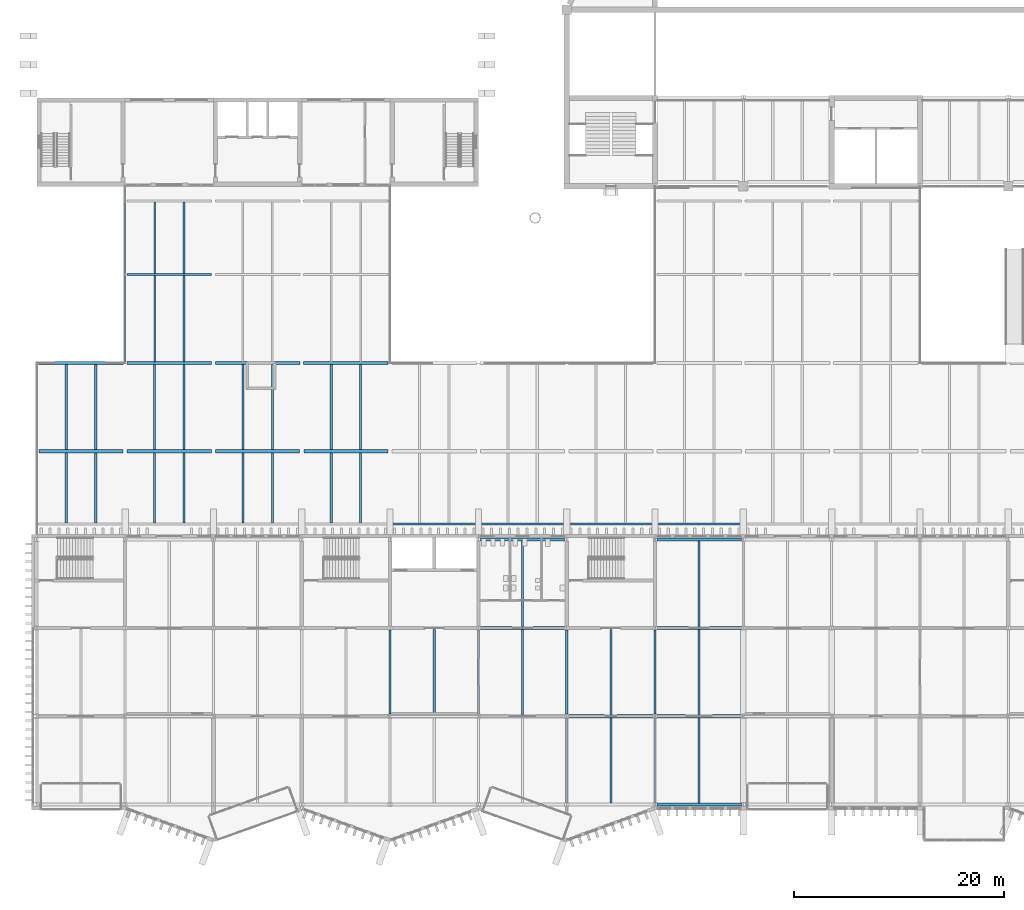
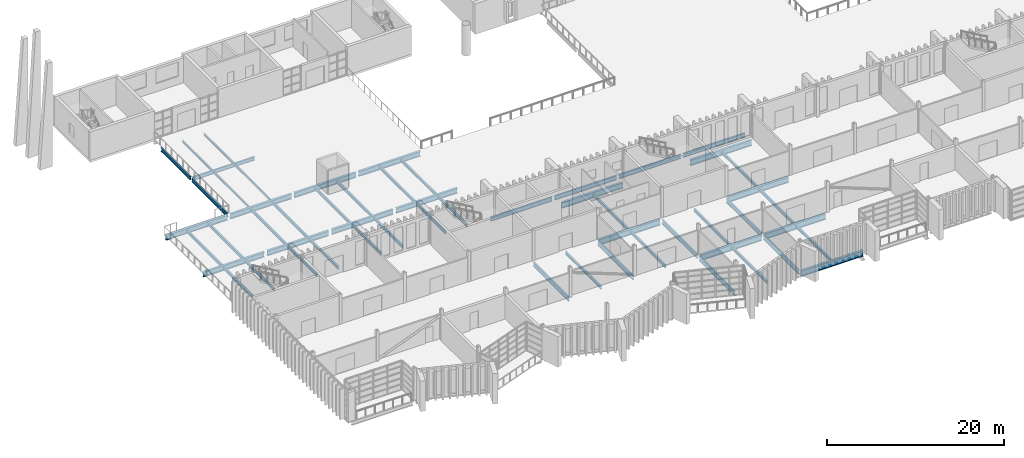
# One storey, part 19 of 96: 56 beams.
"""IFC4 building model written with IfcOpenShell, lengths in metres."""

import ifcopenshell
import ifcopenshell.guid

model = None  # the IFC model being written
_history = None  # IfcOwnerHistory: only IFC2X3 demands one
_inside = {}  # id of a spatial element -> (the spatial element, [elements in it])
_under = {}  # id of a project, library or spatial element -> (it, [spatial elements below it])
_declared = {}  # id of a project -> (the project, [libraries it declares])
_typed = {}  # id of a type object -> (the type object, [elements of that type])
_made_of = {}  # id of a material, layer set ... -> (it, [elements and type objects made of it])


def new_model(schema):
    """Start an empty IFC model of exactly this schema.

    Asked for "IFC4X3", IfcOpenShell would pick the latest addendum, in which some entities
    have other attributes; the version numbers below select the first issue.
    IFC2X3 requires an IfcOwnerHistory on every rooted entity: one is made here for all.
    """
    global model, _history
    if schema == "IFC4X3":
        model = ifcopenshell.file(schema_version=(4, 3, 0, 0))
    else:
        model = ifcopenshell.file(schema=schema)
    _inside.clear()
    _under.clear()
    _declared.clear()
    _typed.clear()
    _made_of.clear()
    _history = None
    if model.schema == "IFC2X3":
        org = make("IfcOrganization", Name="unknown")
        user = make(
            "IfcPersonAndOrganization",
            ThePerson=make("IfcPerson", FamilyName="unknown"),
            TheOrganization=org,
        )
        app = make(
            "IfcApplication",
            ApplicationDeveloper=org,
            Version="unknown",
            ApplicationFullName="unknown",
            ApplicationIdentifier="unknown",
        )
        _history = make(
            "IfcOwnerHistory",
            OwningUser=user,
            OwningApplication=app,
            ChangeAction="ADDED",
            CreationDate=0,
        )
    return model


def make(cls, **values):
    """One entity of the class cls with the attributes given. An attribute that is None is left unset."""
    return model.create_entity(
        cls, **{name: value for name, value in values.items() if value is not None}
    )


def rooted(cls, **values):
    """An entity with a GlobalId (a new one), such as an element, a storey or a relation."""
    return make(cls, GlobalId=ifcopenshell.guid.new(), OwnerHistory=_history, **values)


def si_unit(unit_type, name, prefix=None):
    """IfcSIUnit, for example si_unit("LENGTHUNIT", "METRE", prefix="MILLI")."""
    return make("IfcSIUnit", UnitType=unit_type, Prefix=prefix, Name=name)


def assignment(units):
    """IfcUnitAssignment: the units of a project."""
    return None if units is None else make("IfcUnitAssignment", Units=units)


def point(xyz):
    """IfcCartesianPoint."""
    return None if xyz is None else make("IfcCartesianPoint", Coordinates=xyz)


def direction(xyz):
    """IfcDirection."""
    return None if xyz is None else make("IfcDirection", DirectionRatios=xyz)


def frame(location, z_axis=None, x_axis=None):
    """IfcAxis2Placement3D, a coordinate frame: its origin and axes. An axis left out is left unset."""
    return make(
        "IfcAxis2Placement3D",
        Location=point(location),
        Axis=direction(z_axis),
        RefDirection=direction(x_axis),
    )


def frame_2d(location, x_axis=None):
    """IfcAxis2Placement2D, a coordinate frame in the plane: its origin and x axis."""
    return make(
        "IfcAxis2Placement2D", Location=point(location), RefDirection=direction(x_axis)
    )


def origin():
    """The frame at (0, 0, 0) with its axes left unset."""
    return frame((0.0, 0.0, 0.0))


def origin_2d():
    """The frame at (0, 0) in the plane with its x axis left unset."""
    return frame_2d((0.0, 0.0))


def place(relative_to, where):
    """IfcLocalPlacement: puts the frame where relative to a parent placement (None: the world)."""
    return make(
        "IfcLocalPlacement", PlacementRelTo=relative_to, RelativePlacement=where
    )


def context(
    kind, dimensions, precision=None, world=None, true_north=None, identifier=None
):
    """IfcGeometricRepresentationContext, for example the 3D "Model" context."""
    return make(
        "IfcGeometricRepresentationContext",
        ContextIdentifier=identifier,
        ContextType=kind,
        CoordinateSpaceDimension=dimensions,
        Precision=precision,
        WorldCoordinateSystem=world,
        TrueNorth=true_north,
    )


def subcontext(parent, identifier, kind, view, scale=None):
    """IfcGeometricRepresentationSubContext, for example "Body" below "Model"."""
    return make(
        "IfcGeometricRepresentationSubContext",
        ContextIdentifier=identifier,
        ContextType=kind,
        ParentContext=parent,
        TargetScale=scale,
        TargetView=view,
    )


def project(units=None, contexts=None):
    """IfcProject with its units and contexts."""
    return rooted(
        "IfcProject",
        Name="project",
        RepresentationContexts=contexts,
        UnitsInContext=assignment(units),
    )


def spatial(cls, under=None, at=None, **own):
    """A site, building, storey or space (cls), placed at a placement, below another one or the project."""
    s = rooted(cls, ObjectPlacement=at, **own)
    if under is not None:
        _under.setdefault(under.id(), (under, []))[1].append(s)
    return s


def profile(cls, at=None, kind="AREA", **sizes):
    """A parametric profile (cls). Its sizes go by their IFC names, for example OverallWidth=200.0."""
    return make(cls, ProfileType=kind, Position=at, **sizes)


def i_section(**sizes):
    """IfcIShapeProfileDef."""
    return profile("IfcIShapeProfileDef", **sizes)


def extrude(swept, where, along, depth):
    """IfcExtrudedAreaSolid: the profile swept, set in the frame where, extruded along a direction by depth."""
    return make(
        "IfcExtrudedAreaSolid",
        SweptArea=swept,
        Position=where,
        ExtrudedDirection=direction(along),
        Depth=depth,
    )


def shape(context_of_items, identifier, shape_type, items):
    """IfcShapeRepresentation: the items that make up one representation, for example the "Body"."""
    return make(
        "IfcShapeRepresentation",
        ContextOfItems=context_of_items,
        RepresentationIdentifier=identifier,
        RepresentationType=shape_type,
        Items=items,
    )


def material(Name=None, Category=None):
    """IfcMaterial."""
    return make("IfcMaterial", Name=Name, Category=Category)


def material_profile(
    of_material, cross_section, Name=None, Category=None, Priority=None
):
    """IfcMaterialProfile: a cross section and its material."""
    return make(
        "IfcMaterialProfile",
        Name=Name,
        Material=of_material,
        Profile=cross_section,
        Priority=Priority,
        Category=Category,
    )


def profile_set(profiles, Name=None, composite=None):
    """IfcMaterialProfileSet."""
    return make(
        "IfcMaterialProfileSet",
        Name=Name,
        MaterialProfiles=profiles,
        CompositeProfile=composite,
    )


def made_of(thing, what):
    """Note that an element or type object is made of a material, layer set ...; save() writes the relation."""
    if what is not None:
        _made_of.setdefault(what.id(), (what, []))[1].append(thing)
    return thing


def type_object(cls, material=None, **own):
    """A type object (cls), such as IfcWallType, which elements share."""
    return made_of(rooted(cls, **own), material)


def element(
    cls,
    number,
    at=None,
    inside=None,
    cuts=None,
    type_object=None,
    material=None,
    context=None,
    identifier="Body",
    shape_type=None,
    held_by="IfcProductDefinitionShape",
    body=None,
    shapes=None,
    **own,
):
    """One element of the class cls, such as IfcWall. Its Tag is "e" and its number.

    at: its placement. inside: the storey or other place that contains it. cuts: it is an
    opening in that element (IfcRelVoidsElement). A single representation is given by context,
    identifier, shape_type and body (its items); several are given by shapes. held_by: the class
    of the entity that holds the representations. save() writes the other relations.
    """
    e = rooted(cls, Tag="e%d" % number, ObjectPlacement=at, **own)
    if body is not None:
        shapes = [shape(context, identifier, shape_type, body)]
    if shapes is not None:
        e.Representation = make(held_by, Representations=shapes)
    if inside is not None:
        _inside.setdefault(inside.id(), (inside, []))[1].append(e)
    if cuts is not None:
        rooted(
            "IfcRelVoidsElement", RelatingBuildingElement=cuts, RelatedOpeningElement=e
        )
    if type_object is not None:
        _typed.setdefault(type_object.id(), (type_object, []))[1].append(e)
    return made_of(e, material)


def aggregate(whole, parts):
    """IfcRelAggregates: a whole, such as a stair, and the parts it consists of."""
    return rooted("IfcRelAggregates", RelatingObject=whole, RelatedObjects=parts)


def save(model, path):
    """Write the relations noted so far, then the file.

    IfcRelAggregates (storeys below a building ...), IfcRelContainedInSpatialStructure (elements
    in a storey), IfcRelDefinesByType, IfcRelAssociatesMaterial and IfcRelDeclares: one each for
    every whole, place, type object, material and project.
    """
    for whole, parts in _under.values():
        aggregate(whole, parts)
    for where, things in _inside.values():
        rooted(
            "IfcRelContainedInSpatialStructure",
            RelatedElements=things,
            RelatingStructure=where,
        )
    for kind, things in _typed.values():
        rooted("IfcRelDefinesByType", RelatedObjects=things, RelatingType=kind)
    for what, things in _made_of.values():
        rooted("IfcRelAssociatesMaterial", RelatedObjects=things, RelatingMaterial=what)
    for by, libraries in _declared.values():
        rooted("IfcRelDeclares", RelatingContext=by, RelatedDefinitions=libraries)
    model.write(path)


model = new_model("IFC4")

# Units and contexts
model_context = context("Model", 3, precision=1e-05, world=origin(), true_north=direction((0.0, 1.0)))
body_context = subcontext(model_context, "Body", "Model", "MODEL_VIEW")
ifc_project = project(units=[si_unit("LENGTHUNIT", "METRE"), si_unit("AREAUNIT", "SQUARE_METRE"), si_unit("VOLUMEUNIT", "CUBIC_METRE"), si_unit("PLANEANGLEUNIT", "RADIAN"), si_unit("MASSUNIT", "GRAM", prefix="KILO")], contexts=[model_context])

# Site, building, storey
site_placement = place(None, origin())
site = spatial("IfcSite", under=ifc_project, at=site_placement, CompositionType="ELEMENT")
building_placement = place(site_placement, origin())
building = spatial("IfcBuilding", under=site, at=building_placement, Name="Cresset Court Congress Hotel", CompositionType="ELEMENT")
storey_placement = place(building_placement, frame((0.0, 0.0, 6.0)))
storey = spatial("IfcBuildingStorey", under=building, at=storey_placement, Name="L01", CompositionType="ELEMENT", Elevation=6.0)

# Beams
ifc_material_1 = material(Name="Structural steel Q355B", Category="steel")
ifc_material_profile_1 = material_profile(ifc_material_1, i_section(OverallWidth=0.14990234375, OverallDepth=0.300048828125, WebThickness=0.006591796875, FlangeThickness=0.009033203125, FilletRadius=0.012939453125, at=origin_2d()), Name="HN300x150x6.5x9")
ifc_profile_set_1 = profile_set([ifc_material_profile_1], Name="Structural steel Q355B")
beam_type_1 = type_object("IfcBeamType", Name="Steel beam HN300x150x6.5x9", PredefinedType="BEAM", material=ifc_profile_set_1)
for number, where, z_axis, x_axis, name in (
    (1, (19.60009765625, 42.10009765625, -0.300048828125), (0.0, 1.0, 0.0), (-1.0, 0.0, 0.0), "S.dbm.L01.S083"),
    (2, (22.39990234375, 42.10009765625, -0.300048828125), (0.0, 1.0, 0.0), (-1.0, 0.0, 0.0), "S.dbm.L01.S084"),
):
    element("IfcBeam", number, at=place(storey_placement, frame(where, z_axis=z_axis, x_axis=x_axis)), inside=storey, type_object=beam_type_1, Name=name, PredefinedType="BEAM", context=body_context, shape_type="SweptSolid", body=[
        extrude(i_section(OverallWidth=0.14990234375, OverallDepth=0.300048828125, WebThickness=0.006591796875, FlangeThickness=0.009033203125, FilletRadius=0.012939453125, at=origin_2d()), origin(), (0.0, 0.0, 1.0), 8.199951171875),
    ])
for number, where, z_axis, x_axis, name in (
    (3, (19.60009765625, 50.5, -0.300048828125), (0.0, 1.0, 0.0), (-1.0, 0.0, 0.0), "S.dbm.L01.S089"),
    (4, (22.39990234375, 50.5, -0.300048828125), (0.0, 1.0, 0.0), (-1.0, 0.0, 0.0), "S.dbm.L01.S090"),
):
    element("IfcBeam", number, at=place(storey_placement, frame(where, z_axis=z_axis, x_axis=x_axis)), inside=storey, type_object=beam_type_1, Name=name, PredefinedType="BEAM", context=body_context, shape_type="SweptSolid", body=[
        extrude(i_section(OverallWidth=0.14990234375, OverallDepth=0.300048828125, WebThickness=0.006591796875, FlangeThickness=0.009033203125, FilletRadius=0.012939453125, at=origin_2d()), origin(), (0.0, 0.0, 1.0), 6.800048828125),
    ])
ifc_material_2 = material(Name="Structural steel Q355B", Category="steel")
ifc_material_profile_2 = material_profile(ifc_material_2, i_section(OverallWidth=0.199951171875, OverallDepth=0.39990234375, WebThickness=0.008056640625, FlangeThickness=0.012939453125, FilletRadius=0.01611328125, at=origin_2d()), Name="HN400x200x8x13")
ifc_profile_set_2 = profile_set([ifc_material_profile_2], Name="Structural steel Q355B")
beam_type_2 = type_object("IfcBeamType", Name="Steel beam HN400x200x8x13", PredefinedType="BEAM", material=ifc_profile_set_2)
beam_1_placement = place(storey_placement, frame((11.199951171875, 26.800048828125, -0.35009765625), z_axis=(0.0, 1.0, 0.0), x_axis=(-1.0, 0.0, 0.0)))
element("IfcBeam", 5, at=beam_1_placement, inside=storey, type_object=beam_type_2, Name="S.dbm.L01.S001", PredefinedType="BEAM", context=body_context, shape_type="SweptSolid", body=[
    extrude(i_section(OverallWidth=0.199951171875, OverallDepth=0.39990234375, WebThickness=0.008056640625, FlangeThickness=0.012939453125, FilletRadius=0.01611328125, at=origin_2d()), origin(), (0.0, 0.0, 1.0), 6.64990234375),
])
beam_2_placement = place(storey_placement, frame((11.199951171875, 33.75, -0.35009765625), z_axis=(0.0, 1.0, 0.0), x_axis=(-1.0, 0.0, 0.0)))
element("IfcBeam", 6, at=beam_2_placement, inside=storey, type_object=beam_type_2, Name="S.dbm.L01.S002", PredefinedType="BEAM", context=body_context, shape_type="SweptSolid", body=[
    extrude(i_section(OverallWidth=0.199951171875, OverallDepth=0.39990234375, WebThickness=0.008056640625, FlangeThickness=0.012939453125, FilletRadius=0.01611328125, at=origin_2d()), origin(), (0.0, 0.0, 1.0), 8.10009765625),
])
beam_3_placement = place(storey_placement, frame((14.0, 26.800048828125, -0.35009765625), z_axis=(0.0, 1.0, 0.0), x_axis=(-1.0, 0.0, 0.0)))
element("IfcBeam", 7, at=beam_3_placement, inside=storey, type_object=beam_type_2, Name="S.dbm.L01.S003", PredefinedType="BEAM", context=body_context, shape_type="SweptSolid", body=[
    extrude(i_section(OverallWidth=0.199951171875, OverallDepth=0.39990234375, WebThickness=0.008056640625, FlangeThickness=0.012939453125, FilletRadius=0.01611328125, at=origin_2d()), origin(), (0.0, 0.0, 1.0), 6.64990234375),
])
beam_4_placement = place(storey_placement, frame((14.0, 33.75, -0.35009765625), z_axis=(0.0, 1.0, 0.0), x_axis=(-1.0, 0.0, 0.0)))
element("IfcBeam", 8, at=beam_4_placement, inside=storey, type_object=beam_type_2, Name="S.dbm.L01.S004", PredefinedType="BEAM", context=body_context, shape_type="SweptSolid", body=[
    extrude(i_section(OverallWidth=0.199951171875, OverallDepth=0.39990234375, WebThickness=0.008056640625, FlangeThickness=0.012939453125, FilletRadius=0.01611328125, at=origin_2d()), origin(), (0.0, 0.0, 1.0), 8.10009765625),
])
beam_5_placement = place(storey_placement, frame((19.60009765625, 26.800048828125, -0.35009765625), z_axis=(0.0, 1.0, 0.0), x_axis=(-1.0, 0.0, 0.0)))
element("IfcBeam", 9, at=beam_5_placement, inside=storey, type_object=beam_type_2, Name="S.dbm.L01.S005", PredefinedType="BEAM", context=body_context, shape_type="SweptSolid", body=[
    extrude(i_section(OverallWidth=0.199951171875, OverallDepth=0.39990234375, WebThickness=0.008056640625, FlangeThickness=0.012939453125, FilletRadius=0.01611328125, at=origin_2d()), origin(), (0.0, 0.0, 1.0), 6.64990234375),
])
beam_6_placement = place(storey_placement, frame((19.60009765625, 33.75, -0.35009765625), z_axis=(0.0, 1.0, 0.0), x_axis=(-1.0, 0.0, 0.0)))
element("IfcBeam", 10, at=beam_6_placement, inside=storey, type_object=beam_type_2, Name="S.dbm.L01.S006", PredefinedType="BEAM", context=body_context, shape_type="SweptSolid", body=[
    extrude(i_section(OverallWidth=0.199951171875, OverallDepth=0.39990234375, WebThickness=0.008056640625, FlangeThickness=0.012939453125, FilletRadius=0.01611328125, at=origin_2d()), origin(), (0.0, 0.0, 1.0), 8.10009765625),
])
beam_7_placement = place(storey_placement, frame((22.39990234375, 26.800048828125, -0.35009765625), z_axis=(0.0, 1.0, 0.0), x_axis=(-1.0, 0.0, 0.0)))
element("IfcBeam", 11, at=beam_7_placement, inside=storey, type_object=beam_type_2, Name="S.dbm.L01.S007", PredefinedType="BEAM", context=body_context, shape_type="SweptSolid", body=[
    extrude(i_section(OverallWidth=0.199951171875, OverallDepth=0.39990234375, WebThickness=0.008056640625, FlangeThickness=0.012939453125, FilletRadius=0.01611328125, at=origin_2d()), origin(), (0.0, 0.0, 1.0), 6.64990234375),
])
beam_8_placement = place(storey_placement, frame((22.39990234375, 33.75, -0.35009765625), z_axis=(0.0, 1.0, 0.0), x_axis=(-1.0, 0.0, 0.0)))
element("IfcBeam", 12, at=beam_8_placement, inside=storey, type_object=beam_type_2, Name="S.dbm.L01.S008", PredefinedType="BEAM", context=body_context, shape_type="SweptSolid", body=[
    extrude(i_section(OverallWidth=0.199951171875, OverallDepth=0.39990234375, WebThickness=0.008056640625, FlangeThickness=0.012939453125, FilletRadius=0.01611328125, at=origin_2d()), origin(), (0.0, 0.0, 1.0), 8.10009765625),
])
beam_9_placement = place(storey_placement, frame((28.0, 26.800048828125, -0.35009765625), z_axis=(0.0, 1.0, 0.0), x_axis=(-1.0, 0.0, 0.0)))
element("IfcBeam", 13, at=beam_9_placement, inside=storey, type_object=beam_type_2, Name="S.dbm.L01.S009", PredefinedType="BEAM", context=body_context, shape_type="SweptSolid", body=[
    extrude(i_section(OverallWidth=0.199951171875, OverallDepth=0.39990234375, WebThickness=0.008056640625, FlangeThickness=0.012939453125, FilletRadius=0.01611328125, at=origin_2d()), origin(), (0.0, 0.0, 1.0), 6.64990234375),
])
beam_10_placement = place(storey_placement, frame((28.0, 33.75, -0.35009765625), z_axis=(0.0, 1.0, 0.0), x_axis=(-1.0, 0.0, 0.0)))
element("IfcBeam", 14, at=beam_10_placement, inside=storey, type_object=beam_type_2, Name="S.dbm.L01.S010", PredefinedType="BEAM", context=body_context, shape_type="SweptSolid", body=[
    extrude(i_section(OverallWidth=0.199951171875, OverallDepth=0.39990234375, WebThickness=0.008056640625, FlangeThickness=0.012939453125, FilletRadius=0.01611328125, at=origin_2d()), origin(), (0.0, 0.0, 1.0), 8.10009765625),
])
beam_11_placement = place(storey_placement, frame((30.800048828125, 26.800048828125, -0.35009765625), z_axis=(0.0, 1.0, 0.0), x_axis=(-1.0, 0.0, 0.0)))
element("IfcBeam", 15, at=beam_11_placement, inside=storey, type_object=beam_type_2, Name="S.dbm.L01.S011", PredefinedType="BEAM", context=body_context, shape_type="SweptSolid", body=[
    extrude(i_section(OverallWidth=0.199951171875, OverallDepth=0.39990234375, WebThickness=0.008056640625, FlangeThickness=0.012939453125, FilletRadius=0.01611328125, at=origin_2d()), origin(), (0.0, 0.0, 1.0), 6.64990234375),
])
beam_12_placement = place(storey_placement, frame((30.800048828125, 33.75, -0.35009765625), z_axis=(0.0, 1.0, 0.0), x_axis=(-1.0, 0.0, 0.0)))
element("IfcBeam", 16, at=beam_12_placement, inside=storey, type_object=beam_type_2, Name="S.dbm.L01.S012", PredefinedType="BEAM", context=body_context, shape_type="SweptSolid", body=[
    extrude(i_section(OverallWidth=0.199951171875, OverallDepth=0.39990234375, WebThickness=0.008056640625, FlangeThickness=0.012939453125, FilletRadius=0.01611328125, at=origin_2d()), origin(), (0.0, 0.0, 1.0), 8.10009765625),
])
beam_13_placement = place(storey_placement, frame((36.39990234375, 26.800048828125, -0.35009765625), z_axis=(0.0, 1.0, 0.0), x_axis=(-1.0, 0.0, 0.0)))
element("IfcBeam", 17, at=beam_13_placement, inside=storey, type_object=beam_type_2, Name="S.dbm.L01.S013", PredefinedType="BEAM", context=body_context, shape_type="SweptSolid", body=[
    extrude(i_section(OverallWidth=0.199951171875, OverallDepth=0.39990234375, WebThickness=0.008056640625, FlangeThickness=0.012939453125, FilletRadius=0.01611328125, at=origin_2d()), origin(), (0.0, 0.0, 1.0), 6.64990234375),
])
beam_14_placement = place(storey_placement, frame((36.39990234375, 33.75, -0.35009765625), z_axis=(0.0, 1.0, 0.0), x_axis=(-1.0, 0.0, 0.0)))
element("IfcBeam", 18, at=beam_14_placement, inside=storey, type_object=beam_type_2, Name="S.dbm.L01.S014", PredefinedType="BEAM", context=body_context, shape_type="SweptSolid", body=[
    extrude(i_section(OverallWidth=0.199951171875, OverallDepth=0.39990234375, WebThickness=0.008056640625, FlangeThickness=0.012939453125, FilletRadius=0.01611328125, at=origin_2d()), origin(), (0.0, 0.0, 1.0), 8.10009765625),
])
beam_15_placement = place(storey_placement, frame((39.199951171875, 26.800048828125, -0.35009765625), z_axis=(0.0, 1.0, 0.0), x_axis=(-1.0, 0.0, 0.0)))
element("IfcBeam", 19, at=beam_15_placement, inside=storey, type_object=beam_type_2, Name="S.dbm.L01.S015", PredefinedType="BEAM", context=body_context, shape_type="SweptSolid", body=[
    extrude(i_section(OverallWidth=0.199951171875, OverallDepth=0.39990234375, WebThickness=0.008056640625, FlangeThickness=0.012939453125, FilletRadius=0.01611328125, at=origin_2d()), origin(), (0.0, 0.0, 1.0), 6.64990234375),
])
beam_16_placement = place(storey_placement, frame((39.199951171875, 33.75, -0.35009765625), z_axis=(0.0, 1.0, 0.0), x_axis=(-1.0, 0.0, 0.0)))
element("IfcBeam", 20, at=beam_16_placement, inside=storey, type_object=beam_type_2, Name="S.dbm.L01.S016", PredefinedType="BEAM", context=body_context, shape_type="SweptSolid", body=[
    extrude(i_section(OverallWidth=0.199951171875, OverallDepth=0.39990234375, WebThickness=0.008056640625, FlangeThickness=0.012939453125, FilletRadius=0.01611328125, at=origin_2d()), origin(), (0.0, 0.0, 1.0), 8.10009765625),
])
ifc_material_3 = material(Name="Structural steel Q355B", Category="steel")
ifc_material_profile_3 = material_profile(ifc_material_3, i_section(OverallWidth=0.199951171875, OverallDepth=0.5, WebThickness=0.010009765625, FlangeThickness=0.01611328125, FilletRadius=0.012939453125, at=origin_2d()), Name="HN500x200x10x16")
ifc_profile_set_3 = profile_set([ifc_material_profile_3], Name="Structural steel Q355B")
beam_type_3 = type_object("IfcBeamType", Name="Steel beam HN500x200x10x16", PredefinedType="BEAM", material=ifc_profile_set_3)
beam_17_placement = place(storey_placement, frame((16.97509765625, 50.39990234375, -0.39990234375), z_axis=(1.0, 0.0, 0.0), x_axis=(0.0, 1.0, 0.0)))
element("IfcBeam", 21, at=beam_17_placement, inside=storey, type_object=beam_type_3, Name="S.dbm.L01.P070", PredefinedType="BEAM", context=body_context, shape_type="SweptSolid", body=[
    extrude(i_section(OverallWidth=0.199951171875, OverallDepth=0.5, WebThickness=0.010009765625, FlangeThickness=0.01611328125, FilletRadius=0.012939453125, at=origin_2d()), origin(), (0.0, 0.0, 1.0), 8.0498046875),
])
beam_18_placement = place(storey_placement, frame((16.800048828125, 42.14990234375, -0.39990234375), z_axis=(0.0, 1.0, 0.0), x_axis=(-1.0, 0.0, 0.0)))
element("IfcBeam", 22, at=beam_18_placement, inside=storey, type_object=beam_type_3, Name="S.dbm.L01.P076", PredefinedType="BEAM", context=body_context, shape_type="SweptSolid", body=[
    extrude(i_section(OverallWidth=0.199951171875, OverallDepth=0.5, WebThickness=0.010009765625, FlangeThickness=0.01611328125, FilletRadius=0.012939453125, at=origin_2d()), origin(), (0.0, 0.0, 1.0), 8.0751953125),
])
beam_19_placement = place(storey_placement, frame((16.800048828125, 50.574951171875, -0.39990234375), z_axis=(0.0, 1.0, 0.0), x_axis=(-1.0, 0.0, 0.0)))
element("IfcBeam", 23, at=beam_19_placement, inside=storey, type_object=beam_type_3, Name="S.dbm.L01.P077", PredefinedType="BEAM", context=body_context, shape_type="SweptSolid", body=[
    extrude(i_section(OverallWidth=0.199951171875, OverallDepth=0.5, WebThickness=0.010009765625, FlangeThickness=0.01611328125, FilletRadius=0.012939453125, at=origin_2d()), origin(), (0.0, 0.0, 1.0), 6.650146484375),
])
ifc_material_4 = material(Name="Structural steel Q355B", Category="steel")
ifc_material_profile_4 = material_profile(ifc_material_4, i_section(OverallWidth=0.199951171875, OverallDepth=0.60009765625, WebThickness=0.010986328125, FlangeThickness=0.01708984375, FilletRadius=0.012939453125, at=origin_2d()), Name="HN600x200x11x17")
ifc_profile_set_4 = profile_set([ifc_material_profile_4], Name="Structural steel Q355B")
beam_type_4 = type_object("IfcBeamType", Name="Steel beam HN600x200x11x17", PredefinedType="BEAM", material=ifc_profile_set_4)
for number, where, z_axis, x_axis, name in (
    (24, (42.175048828125, 26.699951171875, -0.449951171875), (1.0, 0.0, 0.0), (0.0, 1.0, 0.0), "S.dbm.L01.P005"),
    (25, (50.574951171875, 26.699951171875, -0.449951171875), (1.0, 0.0, 0.0), (0.0, 1.0, 0.0), "S.dbm.L01.P006"),
):
    element("IfcBeam", number, at=place(storey_placement, frame(where, z_axis=z_axis, x_axis=x_axis)), inside=storey, type_object=beam_type_4, Name=name, PredefinedType="BEAM", context=body_context, shape_type="SweptSolid", body=[
        extrude(i_section(OverallWidth=0.199951171875, OverallDepth=0.60009765625, WebThickness=0.010986328125, FlangeThickness=0.01708984375, FilletRadius=0.012939453125, at=origin_2d()), origin(), (0.0, 0.0, 1.0), 8.050048828125),
    ])
beam_20_placement = place(storey_placement, frame((58.97509765625, 26.699951171875, -0.449951171875), z_axis=(1.0, 0.0, 0.0), x_axis=(0.0, 1.0, 0.0)))
element("IfcBeam", 26, at=beam_20_placement, inside=storey, type_object=beam_type_4, Name="S.dbm.L01.P007", PredefinedType="BEAM", context=body_context, shape_type="SweptSolid", body=[
    extrude(i_section(OverallWidth=0.199951171875, OverallDepth=0.60009765625, WebThickness=0.010986328125, FlangeThickness=0.01708984375, FilletRadius=0.012939453125, at=origin_2d()), origin(), (0.0, 0.0, 1.0), 8.0498046875),
])
beam_21_placement = place(storey_placement, frame((67.375, 26.699951171875, -0.449951171875), z_axis=(1.0, 0.0, 0.0), x_axis=(0.0, 1.0, 0.0)))
element("IfcBeam", 27, at=beam_21_placement, inside=storey, type_object=beam_type_4, Name="S.dbm.L01.P008", PredefinedType="BEAM", context=body_context, shape_type="SweptSolid", body=[
    extrude(i_section(OverallWidth=0.199951171875, OverallDepth=0.60009765625, WebThickness=0.010986328125, FlangeThickness=0.01708984375, FilletRadius=0.012939453125, at=origin_2d()), origin(), (0.0, 0.0, 1.0), 8.050048828125),
])
for number, where, z_axis, x_axis, name in (
    (28, (42.0, 8.60009765625, -0.449951171875), (0.0, 1.0, 0.0), (-1.0, 0.0, 0.0), "B.by.L01.06B"),
    (29, (50.39990234375, 8.60009765625, -0.449951171875), (0.0, 1.0, 0.0), (-1.0, 0.0, 0.0), "B.by.L01.07B"),
    (30, (58.800048828125, 0.199951171875, -0.449951171875), (0.0, 1.0, 0.0), (-1.0, 0.0, 0.0), "B.by.L01.08A"),
    (31, (58.800048828125, 8.60009765625, -0.449951171875), (0.0, 1.0, 0.0), (-1.0, 0.0, 0.0), "B.by.L01.08B"),
    (32, (67.199951171875, 0.199951171875, -0.449951171875), (0.0, 1.0, 0.0), (-1.0, 0.0, 0.0), "B.by.L01.09A"),
    (33, (67.199951171875, 8.60009765625, -0.449951171875), (0.0, 1.0, 0.0), (-1.0, 0.0, 0.0), "B.by.L01.09B"),
):
    element("IfcBeam", number, at=place(storey_placement, frame(where, z_axis=z_axis, x_axis=x_axis)), inside=storey, type_object=beam_type_4, Name=name, PredefinedType="BEAM", context=body_context, shape_type="SweptSolid", body=[
        extrude(i_section(OverallWidth=0.199951171875, OverallDepth=0.60009765625, WebThickness=0.010986328125, FlangeThickness=0.01708984375, FilletRadius=0.012939453125, at=origin_2d()), origin(), (0.0, 0.0, 1.0), 8.0),
    ])
ifc_material_5 = material(Name="Structural steel Q355B", Category="steel")
ifc_material_profile_5 = material_profile(ifc_material_5, i_section(OverallWidth=0.300048828125, OverallDepth=0.699951171875, WebThickness=0.012939453125, FlangeThickness=0.02392578125, FilletRadius=0.01806640625, at=origin_2d()), Name="HN700x300x13x24")
ifc_profile_set_5 = profile_set([ifc_material_profile_5], Name="Structural steel Q355B")
beam_type_5 = type_object("IfcBeamType", Name="Steel beam HN700x300x13x24", PredefinedType="BEAM", material=ifc_profile_set_5)
for number, where, z_axis, x_axis, name in (
    (34, (8.60009765625, 33.60009765625, -0.5), (1.0, 0.0, 0.0), (0.0, 1.0, 0.0), "S.dbm.L01.P019"),
    (35, (17.0, 33.60009765625, -0.5), (1.0, 0.0, 0.0), (0.0, 1.0, 0.0), "S.dbm.L01.P020"),
    (36, (25.39990234375, 33.60009765625, -0.5), (1.0, 0.0, 0.0), (0.0, 1.0, 0.0), "S.dbm.L01.P021"),
    (37, (33.800048828125, 33.60009765625, -0.5), (1.0, 0.0, 0.0), (0.0, 1.0, 0.0), "S.dbm.L01.P022"),
):
    element("IfcBeam", number, at=place(storey_placement, frame(where, z_axis=z_axis, x_axis=x_axis)), inside=storey, type_object=beam_type_5, Name=name, PredefinedType="BEAM", context=body_context, shape_type="SweptSolid", body=[
        extrude(i_section(OverallWidth=0.300048828125, OverallDepth=0.699951171875, WebThickness=0.012939453125, FlangeThickness=0.02392578125, FilletRadius=0.01806640625, at=origin_2d()), origin(), (0.0, 0.0, 1.0), 8.0),
    ])
beam_22_placement = place(storey_placement, frame((8.574951171875, 42.0, -0.5), z_axis=(1.0, 0.0, 0.0), x_axis=(0.0, 1.0, 0.0)))
element("IfcBeam", 38, at=beam_22_placement, inside=storey, type_object=beam_type_5, Name="S.dbm.L01.P037", PredefinedType="BEAM", context=body_context, shape_type="SweptSolid", body=[
    extrude(i_section(OverallWidth=0.300048828125, OverallDepth=0.699951171875, WebThickness=0.012939453125, FlangeThickness=0.02392578125, FilletRadius=0.01806640625, at=origin_2d()), origin(), (0.0, 0.0, 1.0), 8.050048828125),
])
beam_23_placement = place(storey_placement, frame((16.97509765625, 42.0, -0.5), z_axis=(1.0, 0.0, 0.0), x_axis=(0.0, 1.0, 0.0)))
element("IfcBeam", 39, at=beam_23_placement, inside=storey, type_object=beam_type_5, Name="S.dbm.L01.P038", PredefinedType="BEAM", context=body_context, shape_type="SweptSolid", body=[
    extrude(i_section(OverallWidth=0.300048828125, OverallDepth=0.699951171875, WebThickness=0.012939453125, FlangeThickness=0.02392578125, FilletRadius=0.01806640625, at=origin_2d()), origin(), (0.0, 0.0, 1.0), 8.0498046875),
])
for number, where, z_axis, x_axis, name in (
    (40, (25.375, 42.0, -0.5), (1.0, 0.0, 0.0), (0.0, 1.0, 0.0), "S.dbm.L01.P039"),
    (41, (33.77490234375, 42.0, -0.5), (1.0, 0.0, 0.0), (0.0, 1.0, 0.0), "S.dbm.L01.P040"),
):
    element("IfcBeam", number, at=place(storey_placement, frame(where, z_axis=z_axis, x_axis=x_axis)), inside=storey, type_object=beam_type_5, Name=name, PredefinedType="BEAM", context=body_context, shape_type="SweptSolid", body=[
        extrude(i_section(OverallWidth=0.300048828125, OverallDepth=0.699951171875, WebThickness=0.012939453125, FlangeThickness=0.02392578125, FilletRadius=0.01806640625, at=origin_2d()), origin(), (0.0, 0.0, 1.0), 8.050048828125),
    ])
ifc_material_6 = material(Name="Structural steel Q355B", Category="steel")
ifc_material_profile_6 = material_profile(ifc_material_6, i_section(OverallWidth=0.300048828125, OverallDepth=0.800048828125, WebThickness=0.013916015625, FlangeThickness=0.02587890625, FilletRadius=0.01806640625, at=origin_2d()), Name="HN800x300x14x26")
ifc_profile_set_6 = profile_set([ifc_material_profile_6], Name="Structural steel Q355B")
beam_type_6 = type_object("IfcBeamType", Name="Steel beam HN800x300x14x26", PredefinedType="BEAM", material=ifc_profile_set_6)
for number, where, z_axis, x_axis, name in (
    (42, (67.39990234375, 0.0, -0.550048828125), (1.0, 0.0, 0.0), (0.0, 1.0, 0.0), "B.bx.L01.A09"),
    (43, (59.0, 8.39990234375, -0.550048828125), (1.0, 0.0, 0.0), (0.0, 1.0, 0.0), "B.bx.L01.B08"),
):
    element("IfcBeam", number, at=place(storey_placement, frame(where, z_axis=z_axis, x_axis=x_axis)), inside=storey, type_object=beam_type_6, Name=name, PredefinedType="BEAM", context=body_context, shape_type="SweptSolid", body=[
        extrude(i_section(OverallWidth=0.300048828125, OverallDepth=0.800048828125, WebThickness=0.013916015625, FlangeThickness=0.02587890625, FilletRadius=0.01806640625, at=origin_2d()), origin(), (0.0, 0.0, 1.0), 8.0),
    ])
beam_24_placement = place(storey_placement, frame((67.39990234375, 8.39990234375, -0.550048828125), z_axis=(1.0, 0.0, 0.0), x_axis=(0.0, 1.0, 0.0)))
element("IfcBeam", 44, at=beam_24_placement, inside=storey, type_object=beam_type_6, Name="B.bx.L01.B09", PredefinedType="BEAM", context=body_context, shape_type="SweptSolid", body=[
    extrude(i_section(OverallWidth=0.300048828125, OverallDepth=0.800048828125, WebThickness=0.013916015625, FlangeThickness=0.02587890625, FilletRadius=0.01806640625, at=origin_2d()), origin(), (0.0, 0.0, 1.0), 7.9501953125),
])
for number, where, z_axis, x_axis, name in (
    (45, (50.60009765625, 16.800048828125, -0.550048828125), (1.0, 0.0, 0.0), (0.0, 1.0, 0.0), "B.bx.L01.C07"),
    (46, (67.39990234375, 16.800048828125, -0.550048828125), (1.0, 0.0, 0.0), (0.0, 1.0, 0.0), "B.bx.L01.C09"),
    (47, (50.60009765625, 25.199951171875, -0.550048828125), (1.0, 0.0, 0.0), (0.0, 1.0, 0.0), "B.bx.L01.D07"),
    (48, (67.39990234375, 25.199951171875, -0.550048828125), (1.0, 0.0, 0.0), (0.0, 1.0, 0.0), "B.bx.L01.D09"),
):
    element("IfcBeam", number, at=place(storey_placement, frame(where, z_axis=z_axis, x_axis=x_axis)), inside=storey, type_object=beam_type_6, Name=name, PredefinedType="BEAM", context=body_context, shape_type="SweptSolid", body=[
        extrude(i_section(OverallWidth=0.300048828125, OverallDepth=0.800048828125, WebThickness=0.013916015625, FlangeThickness=0.02587890625, FilletRadius=0.01806640625, at=origin_2d()), origin(), (0.0, 0.0, 1.0), 8.0),
    ])
ifc_material_7 = material(Name="Structural steel Q355B", Category="steel")
ifc_material_profile_7 = material_profile(ifc_material_7, i_section(OverallWidth=0.199951171875, OverallDepth=0.39990234375, WebThickness=0.008056640625, FlangeThickness=0.012939453125, FilletRadius=0.01611328125, at=origin_2d()), Name="HN400x200x8x13")
ifc_profile_set_7 = profile_set([ifc_material_profile_7], Name="Structural steel Q355B")
beam_type_7 = type_object("IfcBeamType", Name="Steel joist HN400x200x8x13", PredefinedType="JOIST", material=ifc_profile_set_7)
for number, where, z_axis, x_axis, name in (
    (49, (46.199951171875, 8.550048828125, -0.35009765625), (0.0, 1.0, 0.0), (-1.0, 0.0, 0.0), "B.bj.L01.06B"),
    (50, (54.60009765625, 8.550048828125, -0.35009765625), (0.0, 1.0, 0.0), (-1.0, 0.0, 0.0), "B.bj.L01.07B"),
):
    element("IfcBeam", number, at=place(storey_placement, frame(where, z_axis=z_axis, x_axis=x_axis)), inside=storey, type_object=beam_type_7, Name=name, PredefinedType="JOIST", context=body_context, shape_type="SweptSolid", body=[
        extrude(i_section(OverallWidth=0.199951171875, OverallDepth=0.39990234375, WebThickness=0.008056640625, FlangeThickness=0.012939453125, FilletRadius=0.01611328125, at=origin_2d()), origin(), (0.0, 0.0, 1.0), 8.099853515625),
    ])
for number, where, z_axis, x_axis, name in (
    (51, (54.60009765625, 16.949951171875, -0.35009765625), (0.0, 1.0, 0.0), (-1.0, 0.0, 0.0), "B.bj.L01.07C"),
    (52, (63.0, 0.14990234375, -0.35009765625), (0.0, 1.0, 0.0), (-1.0, 0.0, 0.0), "B.bj.L01.08A"),
):
    element("IfcBeam", number, at=place(storey_placement, frame(where, z_axis=z_axis, x_axis=x_axis)), inside=storey, type_object=beam_type_7, Name=name, PredefinedType="JOIST", context=body_context, shape_type="SweptSolid", body=[
        extrude(i_section(OverallWidth=0.199951171875, OverallDepth=0.39990234375, WebThickness=0.008056640625, FlangeThickness=0.012939453125, FilletRadius=0.01611328125, at=origin_2d()), origin(), (0.0, 0.0, 1.0), 8.10009765625),
    ])
beam_25_placement = place(storey_placement, frame((63.0, 8.550048828125, -0.35009765625), z_axis=(0.0, 1.0, 0.0), x_axis=(-1.0, 0.0, 0.0)))
element("IfcBeam", 53, at=beam_25_placement, inside=storey, type_object=beam_type_7, Name="B.bj.L01.08B", PredefinedType="JOIST", context=body_context, shape_type="SweptSolid", body=[
    extrude(i_section(OverallWidth=0.199951171875, OverallDepth=0.39990234375, WebThickness=0.008056640625, FlangeThickness=0.012939453125, FilletRadius=0.01611328125, at=origin_2d()), origin(), (0.0, 0.0, 1.0), 8.099853515625),
])
beam_26_placement = place(storey_placement, frame((71.39990234375, 0.14990234375, -0.35009765625), z_axis=(0.0, 1.0, 0.0), x_axis=(-1.0, 0.0, 0.0)))
element("IfcBeam", 54, at=beam_26_placement, inside=storey, type_object=beam_type_7, Name="B.bj.L01.09A", PredefinedType="JOIST", context=body_context, shape_type="SweptSolid", body=[
    extrude(i_section(OverallWidth=0.199951171875, OverallDepth=0.39990234375, WebThickness=0.008056640625, FlangeThickness=0.012939453125, FilletRadius=0.01611328125, at=origin_2d()), origin(), (0.0, 0.0, 1.0), 8.10009765625),
])
beam_27_placement = place(storey_placement, frame((71.39990234375, 8.550048828125, -0.35009765625), z_axis=(0.0, 1.0, 0.0), x_axis=(-1.0, 0.0, 0.0)))
element("IfcBeam", 55, at=beam_27_placement, inside=storey, type_object=beam_type_7, Name="B.bj.L01.09B", PredefinedType="JOIST", context=body_context, shape_type="SweptSolid", body=[
    extrude(i_section(OverallWidth=0.199951171875, OverallDepth=0.39990234375, WebThickness=0.008056640625, FlangeThickness=0.012939453125, FilletRadius=0.01611328125, at=origin_2d()), origin(), (0.0, 0.0, 1.0), 8.099853515625),
])
beam_28_placement = place(storey_placement, frame((71.39990234375, 16.949951171875, -0.35009765625), z_axis=(0.0, 1.0, 0.0), x_axis=(-1.0, 0.0, 0.0)))
element("IfcBeam", 56, at=beam_28_placement, inside=storey, type_object=beam_type_7, Name="B.bj.L01.09C", PredefinedType="JOIST", context=body_context, shape_type="SweptSolid", body=[
    extrude(i_section(OverallWidth=0.199951171875, OverallDepth=0.39990234375, WebThickness=0.008056640625, FlangeThickness=0.012939453125, FilletRadius=0.01611328125, at=origin_2d()), origin(), (0.0, 0.0, 1.0), 8.10009765625),
])

save(model, "model.ifc")
